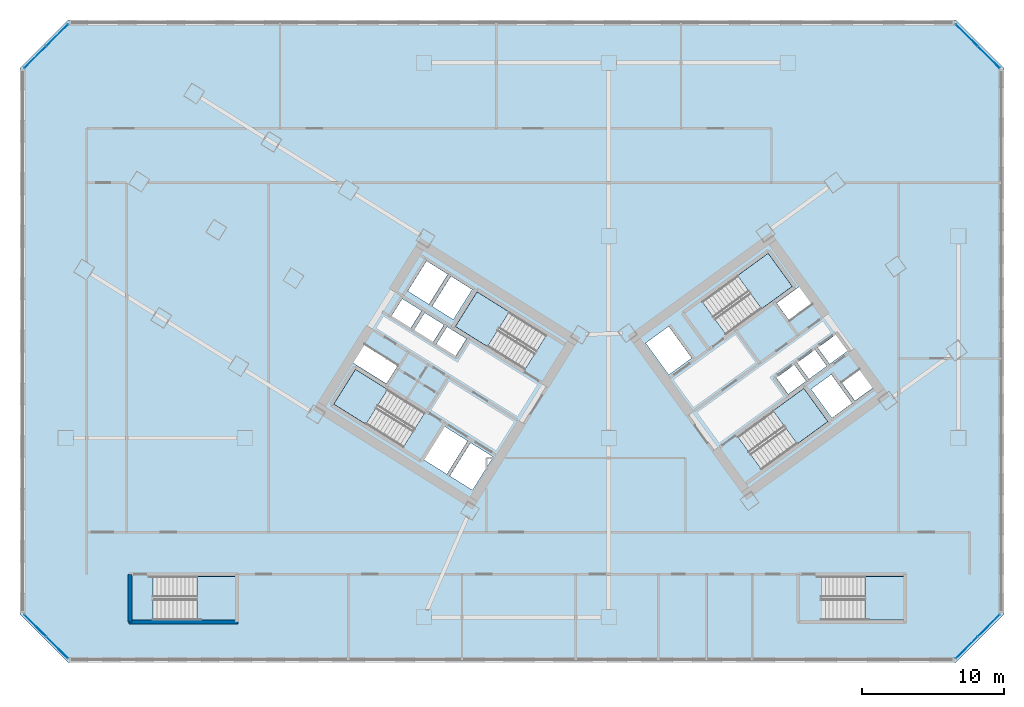
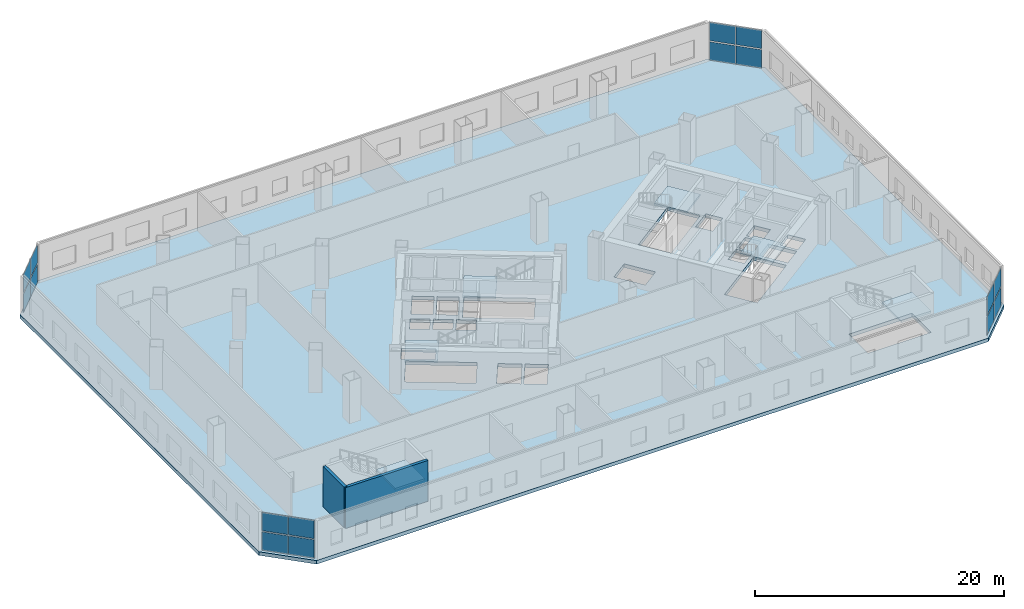
# One storey, part 9 of 22: 16 plates, 7 slabs, 2 walls, 10 elements without a shape of their own.
"""IFC4 building model written with IfcOpenShell, lengths in metres."""

from ifc_helpers import new_model, si_unit, direction, frame, frame_2d, origin, origin_2d, place, context, subcontext, project, spatial, polyline, rectangle, outline, extrude, source, transform, mapped, material, layer, layer_set, type_object, element, aggregate, save


model = new_model("IFC4")

# Units and contexts
model_context = context("Model", 3, precision=1e-05, world=origin(), true_north=direction((0.0, 1.0)))
body_context = subcontext(model_context, "Body", "Model", "MODEL_VIEW")
ifc_project = project(units=[si_unit("LENGTHUNIT", "METRE"), si_unit("AREAUNIT", "SQUARE_METRE"), si_unit("VOLUMEUNIT", "CUBIC_METRE"), si_unit("PLANEANGLEUNIT", "RADIAN"), si_unit("MASSUNIT", "GRAM", prefix="KILO")], contexts=[model_context])

# Site, building, storey
site_placement = place(None, origin())
site = spatial("IfcSite", under=ifc_project, at=site_placement, CompositionType="ELEMENT")
building_placement = place(site_placement, origin())
building = spatial("IfcBuilding", under=site, at=building_placement, Name="Tlacorven Tower", CompositionType="ELEMENT")
storey_placement = place(building_placement, frame((0.0, 0.0, 10.199951171875)))
storey = spatial("IfcBuildingStorey", under=building, at=storey_placement, Name="L02", CompositionType="ELEMENT", Elevation=10.199951171875)

# Stair, slab
ifc_material_1 = material(Name="Concrete C40/50", Category="concrete")
stair_type_1 = type_object("IfcStairType", Name="ST-CORE-DLG", PredefinedType="HALF_TURN_STAIR", material=ifc_material_1)
stair_1_placement = place(storey_placement, origin())
stair_1 = element("IfcStair", 1, at=stair_1_placement, inside=storey, type_object=stair_type_1, Name="L02 Protected Exit Stair West 1", PredefinedType="HALF_TURN_STAIR")
ifc_layer_1 = layer(ifc_material_1, 0.199951171875)
ifc_layer_set_1 = layer_set([ifc_layer_1], Name="Concrete C40/50")
slab_type_1 = type_object("IfcSlabType", Name="SL-LND-200", PredefinedType="LANDING", material=ifc_layer_set_1)
slab_1_placement = place(storey_placement, frame((0.0, 0.0, 1.900146484375)))
slab_1 = element("IfcSlab", 2, at=slab_1_placement, type_object=slab_type_1, Name="ST-W1 landing 1", PredefinedType="LANDING", context=body_context, shape_type="SweptSolid", body=[
    extrude(outline(polyline([(27.25341796875, 20.61181640625), (24.9892578125, 22.02685546875), (23.463134765625, 19.58447265625), (25.727294921875, 18.16943359375), (27.25341796875, 20.61181640625)])), origin(), (0.0, 0.0, 1.0), 0.199951171875),
])
aggregate(stair_1, [slab_1])

stair_2_placement = place(storey_placement, origin())
stair_2 = element("IfcStair", 3, at=stair_2_placement, inside=storey, type_object=stair_type_1, Name="L02 Protected Exit Stair West 2", PredefinedType="HALF_TURN_STAIR")
slab_2_placement = place(storey_placement, frame((0.0, 0.0, 1.900146484375)))
slab_2 = element("IfcSlab", 4, at=slab_2_placement, type_object=slab_type_1, Name="ST-W2 landing 1", PredefinedType="LANDING", context=body_context, shape_type="SweptSolid", body=[
    extrude(outline(polyline([(35.80517578125, 26.069580078125), (33.540771484375, 27.484375), (32.0146484375, 25.0419921875), (34.27880859375, 23.627197265625), (35.80517578125, 26.069580078125)])), origin(), (0.0, 0.0, 1.0), 0.199951171875),
])
aggregate(stair_2, [slab_2])

stair_3_placement = place(storey_placement, origin())
stair_3 = element("IfcStair", 5, at=stair_3_placement, inside=storey, type_object=stair_type_1, Name="L02 Protected Exit Stair East 1", PredefinedType="HALF_TURN_STAIR")
slab_3_placement = place(storey_placement, frame((0.0, 0.0, 1.900146484375)))
slab_3 = element("IfcSlab", 6, at=slab_3_placement, type_object=slab_type_1, Name="ST-E1 landing 1", PredefinedType="LANDING", context=body_context, shape_type="SweptSolid", body=[
    extrude(outline(polyline([(53.55078125, 26.292236328125), (55.7109375, 27.861572265625), (54.01806640625, 30.19140625), (51.85791015625, 28.6220703125), (53.55078125, 26.292236328125)])), origin(), (0.0, 0.0, 1.0), 0.199951171875),
])
aggregate(stair_3, [slab_3])

stair_4_placement = place(storey_placement, origin())
stair_4 = element("IfcStair", 7, at=stair_4_placement, inside=storey, type_object=stair_type_1, Name="L02 Protected Exit Stair East 2", PredefinedType="HALF_TURN_STAIR")
slab_4_placement = place(storey_placement, frame((0.0, 0.0, 1.900146484375)))
slab_4 = element("IfcSlab", 8, at=slab_4_placement, type_object=slab_type_1, Name="ST-E2 landing 1", PredefinedType="LANDING", context=body_context, shape_type="SweptSolid", body=[
    extrude(outline(polyline([(56.0546875, 16.7890625), (58.21484375, 18.3583984375), (56.52197265625, 20.6884765625), (54.362060546875, 19.118896484375), (56.0546875, 16.7890625)])), origin(), (0.0, 0.0, 1.0), 0.199951171875),
])
aggregate(stair_4, [slab_4])

stair_type_2 = type_object("IfcStairType", Name="ST-POD-DLG", PredefinedType="HALF_TURN_STAIR", material=ifc_material_1)
stair_5_placement = place(storey_placement, origin())
stair_5 = element("IfcStair", 9, at=stair_5_placement, inside=storey, type_object=stair_type_2, Name="L02 Podium Station Exit Stair 1", PredefinedType="HALF_TURN_STAIR")
slab_5_placement = place(storey_placement, frame((0.0, 0.0, 1.900146484375)))
slab_5 = element("IfcSlab", 10, at=slab_5_placement, type_object=slab_type_1, Name="ST-P1 landing 1", PredefinedType="LANDING", context=body_context, shape_type="SweptSolid", body=[
    extrude(outline(polyline([(13.830078125, 4.39990234375), (16.60009765625, 4.39990234375), (16.60009765625, 7.47998046875), (13.830078125, 7.47998046875), (13.830078125, 4.39990234375)])), origin(), (0.0, 0.0, 1.0), 0.199951171875),
])
aggregate(stair_5, [slab_5])

stair_6_placement = place(storey_placement, origin())
stair_6 = element("IfcStair", 11, at=stair_6_placement, inside=storey, type_object=stair_type_2, Name="L02 Podium Station Exit Stair 2", PredefinedType="HALF_TURN_STAIR")
slab_6_placement = place(storey_placement, frame((0.0, 0.0, 1.900146484375)))
slab_6 = element("IfcSlab", 12, at=slab_6_placement, type_object=slab_type_1, Name="ST-P2 landing 1", PredefinedType="LANDING", context=body_context, shape_type="SweptSolid", body=[
    extrude(outline(polyline([(60.830078125, 4.39990234375), (63.60009765625, 4.39990234375), (63.60009765625, 7.47998046875), (60.830078125, 7.47998046875), (60.830078125, 4.39990234375)])), origin(), (0.0, 0.0, 1.0), 0.199951171875),
])
aggregate(stair_6, [slab_6])

# Slab
ifc_layer_2 = layer(ifc_material_1, 0.35009765625)
ifc_layer_set_2 = layer_set([ifc_layer_2], Name="Concrete C40/50")
slab_type_2 = type_object("IfcSlabType", Name="SL-POD-350", PredefinedType="FLOOR", material=ifc_layer_set_2)
slab_7_placement = place(storey_placement, frame((0.0, 0.0, -0.349853515625)))
element("IfcSlab", 13, at=slab_7_placement, inside=storey, type_object=slab_type_2, Name="L02 Structural Podium Floor Slab", PredefinedType="FLOOR", context=body_context, shape_type="SweptSolid", body=[
    extrude(outline(polyline([(4.800048828125, 1.39990234375), (67.199951171875, 1.39990234375), (70.60009765625, 4.800048828125), (70.60009765625, 43.199951171875), (67.199951171875, 46.60009765625), (4.800048828125, 46.60009765625), (1.39990234375, 43.199951171875), (1.39990234375, 4.800048828125), (4.800048828125, 1.39990234375)]), holes=[polyline([(29.865478515625, 18.979736328125), (24.9892578125, 22.02685546875), (23.463134765625, 19.58447265625), (28.33935546875, 16.537353515625), (29.865478515625, 18.979736328125)]), polyline([(38.4169921875, 24.4375), (33.540771484375, 27.484375), (32.0146484375, 25.0419921875), (36.890869140625, 21.9951171875), (38.4169921875, 24.4375)]), polyline([(51.05908203125, 24.481689453125), (55.7109375, 27.861572265625), (54.01806640625, 30.19140625), (49.3662109375, 26.811767578125), (51.05908203125, 24.481689453125)]), polyline([(53.56298828125, 14.978759765625), (58.21484375, 18.3583984375), (56.52197265625, 20.6884765625), (51.8701171875, 17.30859375), (53.56298828125, 14.978759765625)]), polyline([(10.75, 4.39990234375), (16.60009765625, 4.39990234375), (16.60009765625, 7.47998046875), (10.75, 7.47998046875), (10.75, 4.39990234375)]), polyline([(57.75, 4.39990234375), (63.60009765625, 4.39990234375), (63.60009765625, 7.47998046875), (57.75, 7.47998046875), (57.75, 4.39990234375)]), polyline([(34.682373046875, 15.87548828125), (33.088134765625, 16.871826171875), (31.62548828125, 14.531005859375), (33.2197265625, 13.534912109375), (34.682373046875, 15.87548828125)]), polyline([(32.884521484375, 16.9990234375), (31.2392578125, 18.02685546875), (29.77685546875, 15.686279296875), (31.421875, 14.658203125), (32.884521484375, 16.9990234375)]), polyline([(47.0234375, 21.648681640625), (48.6416015625, 22.82421875), (47.019287109375, 25.05712890625), (45.401123046875, 23.881591796875), (47.0234375, 21.648681640625)]), polyline([(33.197265625, 27.65185546875), (31.704833984375, 28.58447265625), (30.3798828125, 26.46435546875), (31.87255859375, 25.53173828125), (33.197265625, 27.65185546875)]), polyline([(31.484375, 28.722412109375), (29.99169921875, 29.655029296875), (28.6669921875, 27.534912109375), (30.159423828125, 26.602294921875), (31.484375, 28.722412109375)]), polyline([(32.794921875, 24.17724609375), (31.43798828125, 25.025146484375), (30.685546875, 23.82080078125), (32.042236328125, 22.972900390625), (32.794921875, 24.17724609375)]), polyline([(31.217529296875, 25.162841796875), (29.860595703125, 26.0107421875), (29.108154296875, 24.806396484375), (30.465087890625, 23.958740234375), (31.217529296875, 25.162841796875)]), polyline([(29.64013671875, 26.1484375), (28.283203125, 26.996337890625), (27.53076171875, 25.792236328125), (28.8876953125, 24.9443359375), (29.64013671875, 26.1484375)]), polyline([(55.427734375, 20.288818359375), (56.68994140625, 21.205810546875), (55.855224609375, 22.354736328125), (54.59326171875, 21.437744140625), (55.427734375, 20.288818359375)]), polyline([(56.884033203125, 21.346923828125), (58.146240234375, 22.263916015625), (57.3115234375, 23.41259765625), (56.04931640625, 22.495849609375), (56.884033203125, 21.346923828125)]), polyline([(58.34033203125, 22.405029296875), (59.602294921875, 23.322021484375), (58.767578125, 24.470703125), (57.505615234375, 23.5537109375), (58.34033203125, 22.405029296875)]), polyline([(58.498779296875, 18.614013671875), (59.922607421875, 19.648681640625), (58.453125, 21.671142578125), (57.029296875, 20.63671875), (58.498779296875, 18.614013671875)]), polyline([(27.96142578125, 22.2919921875), (25.603759765625, 23.76513671875), (24.80908203125, 22.4931640625), (27.16650390625, 21.02001953125), (27.96142578125, 22.2919921875)]), polyline([(55.490478515625, 25.4765625), (57.092529296875, 26.640380859375), (56.210693359375, 27.85400390625), (54.60888671875, 26.690185546875), (55.490478515625, 25.4765625)]), polyline([(60.12109375, 19.817626953125), (61.38330078125, 20.734619140625), (60.45458984375, 22.012939453125), (59.192626953125, 21.095947265625), (60.12109375, 19.817626953125)])]), origin(), (0.0, 0.0, 1.0), 0.349853515625),
])

# Curtain wall, plates
ifc_material_2 = material(Name="Dark solar low-E double glazing in aluminium frame", Category="aluminium")
curtain_wall_type = type_object("IfcCurtainWallType", Name="CW-POD-CLINIC", PredefinedType="USERDEFINED", material=ifc_material_2)
curtain_wall_1_placement = place(storey_placement, origin())
curtain_wall_1 = element("IfcCurtainWall", 14, at=curtain_wall_1_placement, inside=storey, type_object=curtain_wall_type, Name="L02 Podium Chamfer Curtain Wall 1", ObjectType="UNITISED CURTAIN WALL", PredefinedType="USERDEFINED")
ifc_material_3 = material(Name="Dark solar double low-E glazing", Category="glass")
ifc_layer_3 = layer(ifc_material_3, 0.031982421875)
ifc_layer_set_3 = layer_set([ifc_layer_3], Name="Dark solar double low-E glazing")
plate_type = type_object("IfcPlateType", Name="CWP-02", PredefinedType="CURTAIN_PANEL", material=ifc_layer_set_3)
shared_shape = source(origin(), body_context, "Body", "SweptSolid", [
    extrude(rectangle(XDim=2.141845703125, YDim=0.031982421875, at=origin_2d()), origin(), (0.0, 0.0, 1.0), 1.802978515625),
])
plate_1_placement = place(storey_placement, frame((4.015380859375, 2.467529296875, 0.06103515625), z_axis=(0.0, 0.0, 1.0), x_axis=(-0.707106781187, 0.707106781187, 0.0)))
plate_1 = element("IfcPlate", 15, at=plate_1_placement, type_object=plate_type, Name="CW-L02-009 Glazing Panel 1", PredefinedType="CURTAIN_PANEL", context=body_context, shape_type="MappedRepresentation", body=[
    mapped(shared_shape, transform((0.0, 0.0, 0.0), scale=1.0)),
])
plate_2_placement = place(storey_placement, frame((4.015380859375, 2.467529296875, 1.98583984375), z_axis=(0.0, 0.0, 1.0), x_axis=(-0.707106781187, 0.707106781187, 0.0)))
plate_2 = element("IfcPlate", 16, at=plate_2_placement, type_object=plate_type, Name="CW-L02-009 Glazing Panel 2", PredefinedType="CURTAIN_PANEL", context=body_context, shape_type="MappedRepresentation", body=[
    mapped(shared_shape, transform((0.0, 0.0, 0.0), scale=1.0)),
])
plate_3_placement = place(storey_placement, frame((2.467529296875, 4.015380859375, 0.06103515625), z_axis=(0.0, 0.0, 1.0), x_axis=(-0.707106781187, 0.707106781187, 0.0)))
plate_3 = element("IfcPlate", 17, at=plate_3_placement, type_object=plate_type, Name="CW-L02-009 Glazing Panel 3", PredefinedType="CURTAIN_PANEL", context=body_context, shape_type="MappedRepresentation", body=[
    mapped(shared_shape, transform((0.0, 0.0, 0.0), scale=1.0)),
])
plate_4_placement = place(storey_placement, frame((2.467529296875, 4.015380859375, 1.98583984375), z_axis=(0.0, 0.0, 1.0), x_axis=(-0.707106781187, 0.707106781187, 0.0)))
plate_4 = element("IfcPlate", 18, at=plate_4_placement, type_object=plate_type, Name="CW-L02-009 Glazing Panel 4", PredefinedType="CURTAIN_PANEL", context=body_context, shape_type="MappedRepresentation", body=[
    mapped(shared_shape, transform((0.0, 0.0, 0.0), scale=1.0)),
])
aggregate(curtain_wall_1, [plate_1, plate_2, plate_3, plate_4])

curtain_wall_2_placement = place(storey_placement, origin())
curtain_wall_2 = element("IfcCurtainWall", 19, at=curtain_wall_2_placement, inside=storey, type_object=curtain_wall_type, Name="L02 Podium Chamfer Curtain Wall 3", ObjectType="UNITISED CURTAIN WALL", PredefinedType="USERDEFINED")
plate_5_placement = place(storey_placement, frame((2.467529296875, 43.984619140625, 0.06103515625), z_axis=(0.0, 0.0, 1.0), x_axis=(0.707106781187, 0.707106781187, 0.0)))
plate_5 = element("IfcPlate", 20, at=plate_5_placement, type_object=plate_type, Name="CW-L02-010 Glazing Panel 1", PredefinedType="CURTAIN_PANEL", context=body_context, shape_type="MappedRepresentation", body=[
    mapped(shared_shape, transform((0.0, 0.0, 0.0), scale=1.0)),
])
plate_6_placement = place(storey_placement, frame((2.467529296875, 43.984619140625, 1.98583984375), z_axis=(0.0, 0.0, 1.0), x_axis=(0.707106781187, 0.707106781187, 0.0)))
plate_6 = element("IfcPlate", 21, at=plate_6_placement, type_object=plate_type, Name="CW-L02-010 Glazing Panel 2", PredefinedType="CURTAIN_PANEL", context=body_context, shape_type="MappedRepresentation", body=[
    mapped(shared_shape, transform((0.0, 0.0, 0.0), scale=1.0)),
])
plate_7_placement = place(storey_placement, frame((4.015380859375, 45.532470703125, 0.06103515625), z_axis=(0.0, 0.0, 1.0), x_axis=(0.707106781187, 0.707106781187, 0.0)))
plate_7 = element("IfcPlate", 22, at=plate_7_placement, type_object=plate_type, Name="CW-L02-010 Glazing Panel 3", PredefinedType="CURTAIN_PANEL", context=body_context, shape_type="MappedRepresentation", body=[
    mapped(shared_shape, transform((0.0, 0.0, 0.0), scale=1.0)),
])
plate_8_placement = place(storey_placement, frame((4.015380859375, 45.532470703125, 1.98583984375), z_axis=(0.0, 0.0, 1.0), x_axis=(0.707106781187, 0.707106781187, 0.0)))
plate_8 = element("IfcPlate", 23, at=plate_8_placement, type_object=plate_type, Name="CW-L02-010 Glazing Panel 4", PredefinedType="CURTAIN_PANEL", context=body_context, shape_type="MappedRepresentation", body=[
    mapped(shared_shape, transform((0.0, 0.0, 0.0), scale=1.0)),
])
aggregate(curtain_wall_2, [plate_5, plate_6, plate_7, plate_8])

curtain_wall_3_placement = place(storey_placement, origin())
curtain_wall_3 = element("IfcCurtainWall", 24, at=curtain_wall_3_placement, inside=storey, type_object=curtain_wall_type, Name="L02 Podium Chamfer Curtain Wall 5", ObjectType="UNITISED CURTAIN WALL", PredefinedType="USERDEFINED")
plate_9_placement = place(storey_placement, frame((67.984619140625, 45.532470703125, 0.06103515625), z_axis=(0.0, 0.0, 1.0), x_axis=(0.707106781187, -0.707106781187, 0.0)))
plate_9 = element("IfcPlate", 25, at=plate_9_placement, type_object=plate_type, Name="CW-L02-011 Glazing Panel 1", PredefinedType="CURTAIN_PANEL", context=body_context, shape_type="MappedRepresentation", body=[
    mapped(shared_shape, transform((0.0, 0.0, 0.0), scale=1.0)),
])
plate_10_placement = place(storey_placement, frame((67.984619140625, 45.532470703125, 1.98583984375), z_axis=(0.0, 0.0, 1.0), x_axis=(0.707106781187, -0.707106781187, 0.0)))
plate_10 = element("IfcPlate", 26, at=plate_10_placement, type_object=plate_type, Name="CW-L02-011 Glazing Panel 2", PredefinedType="CURTAIN_PANEL", context=body_context, shape_type="MappedRepresentation", body=[
    mapped(shared_shape, transform((0.0, 0.0, 0.0), scale=1.0)),
])
plate_11_placement = place(storey_placement, frame((69.532470703125, 43.984619140625, 0.06103515625), z_axis=(0.0, 0.0, 1.0), x_axis=(0.707106781187, -0.707106781187, 0.0)))
plate_11 = element("IfcPlate", 27, at=plate_11_placement, type_object=plate_type, Name="CW-L02-011 Glazing Panel 3", PredefinedType="CURTAIN_PANEL", context=body_context, shape_type="MappedRepresentation", body=[
    mapped(shared_shape, transform((0.0, 0.0, 0.0), scale=1.0)),
])
plate_12_placement = place(storey_placement, frame((69.532470703125, 43.984619140625, 1.98583984375), z_axis=(0.0, 0.0, 1.0), x_axis=(0.707106781187, -0.707106781187, 0.0)))
plate_12 = element("IfcPlate", 28, at=plate_12_placement, type_object=plate_type, Name="CW-L02-011 Glazing Panel 4", PredefinedType="CURTAIN_PANEL", context=body_context, shape_type="MappedRepresentation", body=[
    mapped(shared_shape, transform((0.0, 0.0, 0.0), scale=1.0)),
])
aggregate(curtain_wall_3, [plate_9, plate_10, plate_11, plate_12])

curtain_wall_4_placement = place(storey_placement, origin())
curtain_wall_4 = element("IfcCurtainWall", 29, at=curtain_wall_4_placement, inside=storey, type_object=curtain_wall_type, Name="L02 Podium Chamfer Curtain Wall 7", ObjectType="UNITISED CURTAIN WALL", PredefinedType="USERDEFINED")
plate_13_placement = place(storey_placement, frame((69.532470703125, 4.015380859375, 0.06103515625), z_axis=(0.0, 0.0, 1.0), x_axis=(-0.707106781187, -0.707106781187, 0.0)))
plate_13 = element("IfcPlate", 30, at=plate_13_placement, type_object=plate_type, Name="CW-L02-012 Glazing Panel 1", PredefinedType="CURTAIN_PANEL", context=body_context, shape_type="MappedRepresentation", body=[
    mapped(shared_shape, transform((0.0, 0.0, 0.0), scale=1.0)),
])
plate_14_placement = place(storey_placement, frame((69.532470703125, 4.015380859375, 1.98583984375), z_axis=(0.0, 0.0, 1.0), x_axis=(-0.707106781187, -0.707106781187, 0.0)))
plate_14 = element("IfcPlate", 31, at=plate_14_placement, type_object=plate_type, Name="CW-L02-012 Glazing Panel 2", PredefinedType="CURTAIN_PANEL", context=body_context, shape_type="MappedRepresentation", body=[
    mapped(shared_shape, transform((0.0, 0.0, 0.0), scale=1.0)),
])
plate_15_placement = place(storey_placement, frame((67.984619140625, 2.467529296875, 0.06103515625), z_axis=(0.0, 0.0, 1.0), x_axis=(-0.707106781187, -0.707106781187, 0.0)))
plate_15 = element("IfcPlate", 32, at=plate_15_placement, type_object=plate_type, Name="CW-L02-012 Glazing Panel 3", PredefinedType="CURTAIN_PANEL", context=body_context, shape_type="MappedRepresentation", body=[
    mapped(shared_shape, transform((0.0, 0.0, 0.0), scale=1.0)),
])
plate_16_placement = place(storey_placement, frame((67.984619140625, 2.467529296875, 1.98583984375), z_axis=(0.0, 0.0, 1.0), x_axis=(-0.707106781187, -0.707106781187, 0.0)))
plate_16 = element("IfcPlate", 33, at=plate_16_placement, type_object=plate_type, Name="CW-L02-012 Glazing Panel 4", PredefinedType="CURTAIN_PANEL", context=body_context, shape_type="MappedRepresentation", body=[
    mapped(shared_shape, transform((0.0, 0.0, 0.0), scale=1.0)),
])
aggregate(curtain_wall_4, [plate_13, plate_14, plate_15, plate_16])

# Walls
ifc_material_4 = material(Name="Concrete C50/60", Category="concrete")
ifc_layer_4 = layer(ifc_material_4, 0.260009765625)
ifc_layer_set_4 = layer_set([ifc_layer_4], Name="Concrete C50/60")
wall_type = type_object("IfcWallType", Name="WL-STW-260", PredefinedType="SHEAR", material=ifc_layer_set_4)
wall_1_placement = place(storey_placement, frame((9.070068359375, 4.260009765625, 0.0), z_axis=(0.0, 0.0, 1.0), x_axis=(1.0, 0.0, 0.0)))
element("IfcWall", 34, at=wall_1_placement, inside=storey, type_object=wall_type, Name="L02 Stair P1 South Wall", PredefinedType="SHEAR", context=body_context, shape_type="SweptSolid", body=[
    extrude(rectangle(XDim=7.659912109375, YDim=0.260009765625, at=frame_2d((3.830078125, 0.0))), origin(), (0.0, 0.0, 1.0), 4.0),
])
wall_2_placement = place(storey_placement, frame((9.139892578125, 4.260009765625, 0.0), z_axis=(0.0, 0.0, 1.0), x_axis=(0.0, 1.0, 0.0)))
element("IfcWall", 35, at=wall_2_placement, inside=storey, type_object=wall_type, Name="L02 Stair P1 West Wall", PredefinedType="SHEAR", context=body_context, shape_type="SweptSolid", body=[
    extrude(rectangle(XDim=3.360107421875, YDim=0.260009765625, at=frame_2d((1.68017578125, 0.0))), origin(), (0.0, 0.0, 1.0), 4.0),
])

save(model, "model.ifc")
